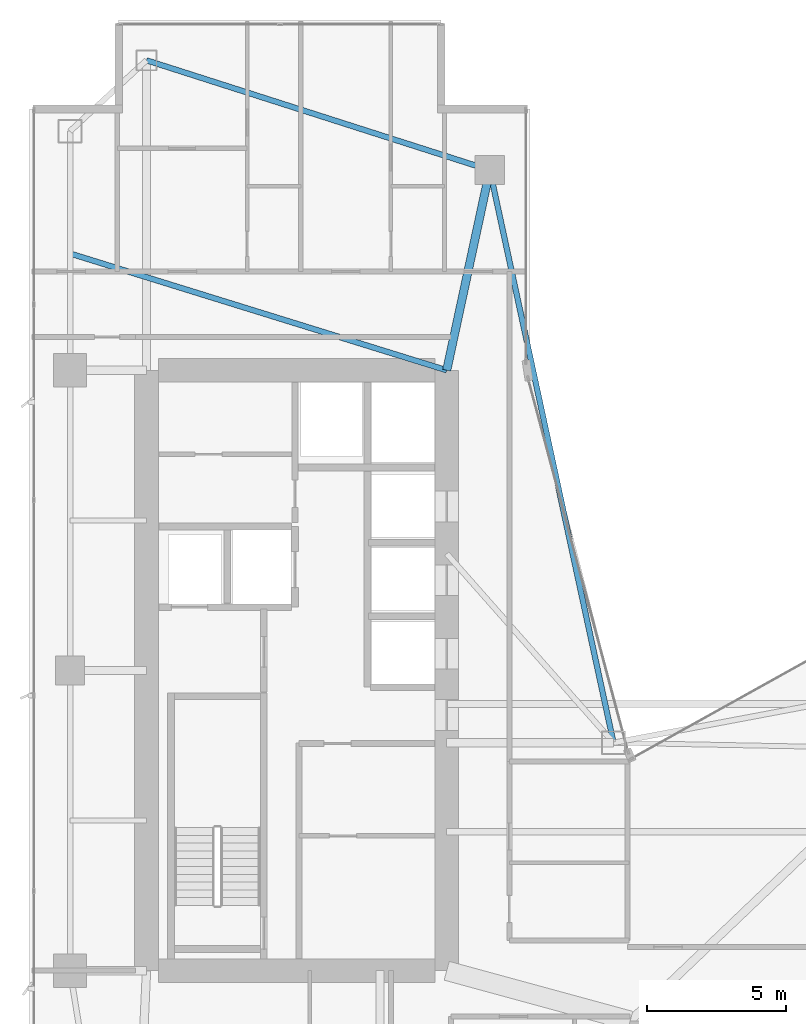
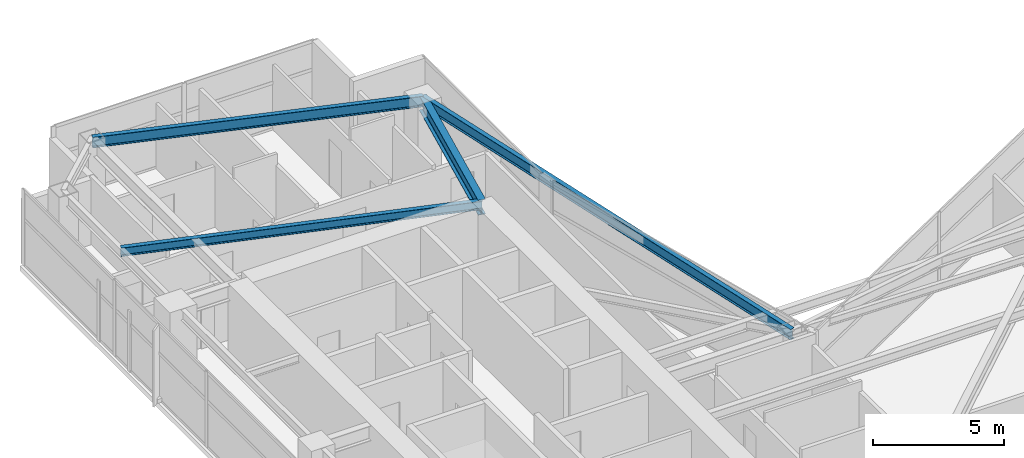
# One storey, part 17 of 28: 4 beams.
"""IFC4 building model written with IfcOpenShell, lengths in metres."""

from ifc_helpers import new_model, si_unit, direction, frame, origin, origin_2d, place, context, subcontext, project, spatial, i_section, extrude, material, material_profile, profile_set, type_object, element, save


model = new_model("IFC4")

# Units and contexts
model_context = context("Model", 3, precision=1e-05, world=origin(), true_north=direction((0.0, 1.0)))
body_context = subcontext(model_context, "Body", "Model", "MODEL_VIEW")
ifc_project = project(units=[si_unit("LENGTHUNIT", "METRE"), si_unit("AREAUNIT", "SQUARE_METRE"), si_unit("VOLUMEUNIT", "CUBIC_METRE"), si_unit("PLANEANGLEUNIT", "RADIAN"), si_unit("MASSUNIT", "GRAM", prefix="KILO")], contexts=[model_context])

# Site, building, storey
site_placement = place(None, origin())
site = spatial("IfcSite", under=ifc_project, at=site_placement, CompositionType="ELEMENT")
building_placement = place(site_placement, origin())
building = spatial("IfcBuilding", under=site, at=building_placement, Name="Calvorn Quay Hotel", CompositionType="ELEMENT")
storey_placement = place(building_placement, frame((0.0, 0.0, 108.800048828125)))
storey = spatial("IfcBuildingStorey", under=building, at=storey_placement, Name="L26", CompositionType="ELEMENT", Elevation=108.800048828125)

# Beams
ifc_material_1 = material(Name="Steel Q390GJC", Category="steel")
ifc_material_profile_1 = material_profile(ifc_material_1, i_section(OverallWidth=0.300048828125, OverallDepth=0.699951171875, WebThickness=0.012939453125, FlangeThickness=0.02392578125, FilletRadius=0.02392578125, at=origin_2d()), Name="HN700x300x13x24")
ifc_profile_set_1 = profile_set([ifc_material_profile_1], Name="Steel Q390GJC")
beam_type_1 = type_object("IfcBeamType", Name="BM-GIRD-MAIN", PredefinedType="BEAM", material=ifc_profile_set_1)
beam_1_placement = place(storey_placement, frame((16.550048828125, 45.60009765625, 3.18994140625), z_axis=(-0.210457140491, -0.97760308511, 0.0), x_axis=(0.97760308511, -0.210457140491, 0.0)))
element("IfcBeam", 1, at=beam_1_placement, inside=storey, type_object=beam_type_1, Name="Beam BG-L26-W6", PredefinedType="BEAM", context=body_context, shape_type="SweptSolid", body=[
    extrude(i_section(OverallWidth=0.300048828125, OverallDepth=0.699951171875, WebThickness=0.012939453125, FlangeThickness=0.02392578125, FilletRadius=0.02392578125, at=origin_2d()), origin(), (0.0, 0.0, 1.0), 7.365234375),
])
ifc_material_2 = material(Name="Steel Q355B", Category="steel")
ifc_material_profile_2 = material_profile(ifc_material_2, i_section(OverallWidth=0.199951171875, OverallDepth=0.39990234375, WebThickness=0.008056640625, FlangeThickness=0.012939453125, FilletRadius=0.01611328125, at=origin_2d()), Name="HN400x200x8x13")
ifc_profile_set_2 = profile_set([ifc_material_profile_2], Name="Steel Q355B")
beam_type_2 = type_object("IfcBeamType", Name="BM-JOIST-TYP", PredefinedType="JOIST", material=ifc_profile_set_2)
beam_2_placement = place(storey_placement, frame((1.449951171875, 42.60009765625, 3.33984375), z_axis=(0.955163702122, -0.296078202759, 0.0), x_axis=(0.296078202759, 0.955163702122, 0.0)))
element("IfcBeam", 2, at=beam_2_placement, inside=storey, type_object=beam_type_2, Name="Beam BJ-L26-W2", PredefinedType="JOIST", context=body_context, shape_type="SweptSolid", body=[
    extrude(i_section(OverallWidth=0.199951171875, OverallDepth=0.39990234375, WebThickness=0.008056640625, FlangeThickness=0.012939453125, FilletRadius=0.01611328125, at=origin_2d()), origin(), (0.0, 0.0, 1.0), 14.18603515625),
])
ifc_material_3 = material(Name="Steel Q355B", Category="steel")
ifc_material_profile_3 = material_profile(ifc_material_3, i_section(OverallWidth=0.199951171875, OverallDepth=0.5, WebThickness=0.010009765625, FlangeThickness=0.01611328125, FilletRadius=0.01611328125, at=origin_2d()), Name="HN500x200x10x16")
ifc_profile_set_3 = profile_set([ifc_material_profile_3], Name="Steel Q355B")
beam_type_3 = type_object("IfcBeamType", Name="BM-SPANDREL-Z1", PredefinedType="SPANDREL", material=ifc_profile_set_3)
beam_3_placement = place(storey_placement, frame((4.199951171875, 49.550048828125, 3.2900390625), z_axis=(0.952470702374, -0.304630203885, 0.0), x_axis=(0.304630203885, 0.952470702374, 0.0)))
element("IfcBeam", 3, at=beam_3_placement, inside=storey, type_object=beam_type_3, Name="Beam BSP-L26-W6", PredefinedType="SPANDREL", context=body_context, shape_type="SweptSolid", body=[
    extrude(i_section(OverallWidth=0.199951171875, OverallDepth=0.5, WebThickness=0.010009765625, FlangeThickness=0.01611328125, FilletRadius=0.01611328125, at=origin_2d()), origin(), (0.0, 0.0, 1.0), 12.96630859375),
])
beam_4_placement = place(storey_placement, frame((16.550048828125, 45.60009765625, 3.2900390625), z_axis=(0.211145848376, -0.977454567084, 0.0), x_axis=(0.977454567084, 0.211145848376, 0.0)))
element("IfcBeam", 4, at=beam_4_placement, inside=storey, type_object=beam_type_3, Name="Beam BSP-L26-W7", PredefinedType="SPANDREL", context=body_context, shape_type="SweptSolid", body=[
    extrude(i_section(OverallWidth=0.199951171875, OverallDepth=0.5, WebThickness=0.010009765625, FlangeThickness=0.01611328125, FilletRadius=0.01611328125, at=origin_2d()), origin(), (0.0, 0.0, 1.0), 21.0751953125),
])

save(model, "model.ifc")
